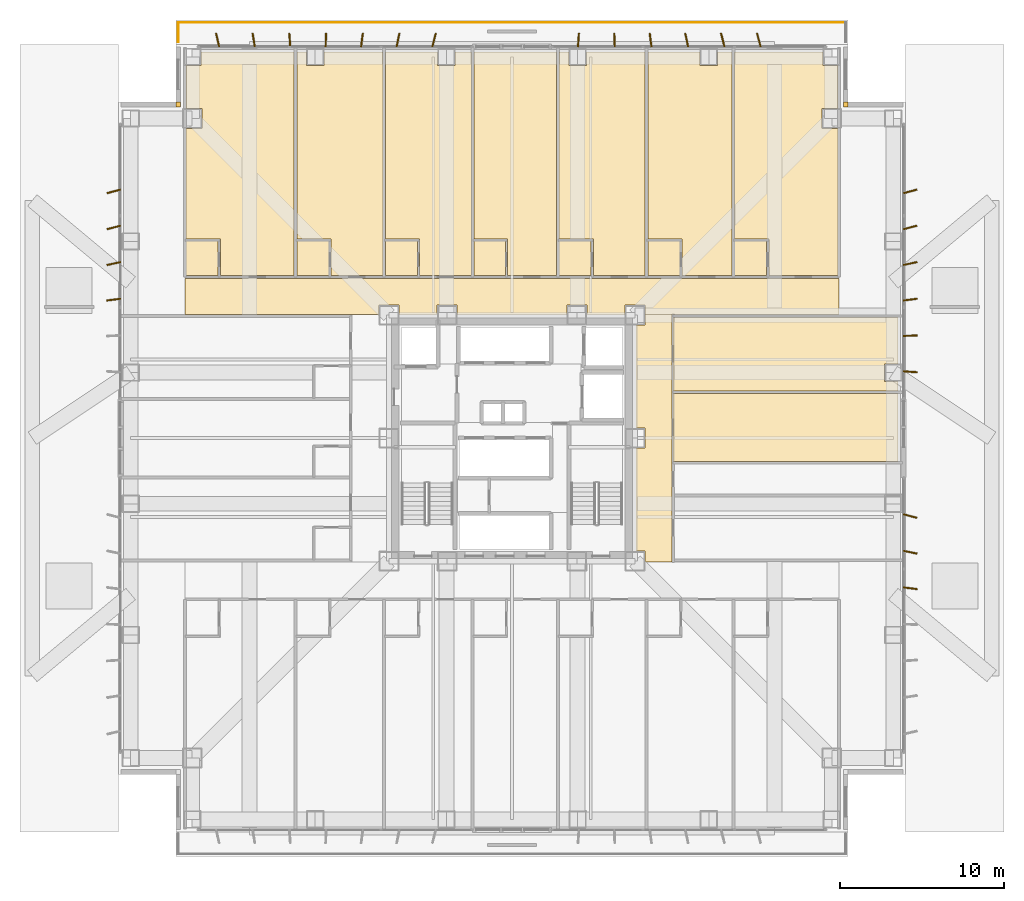
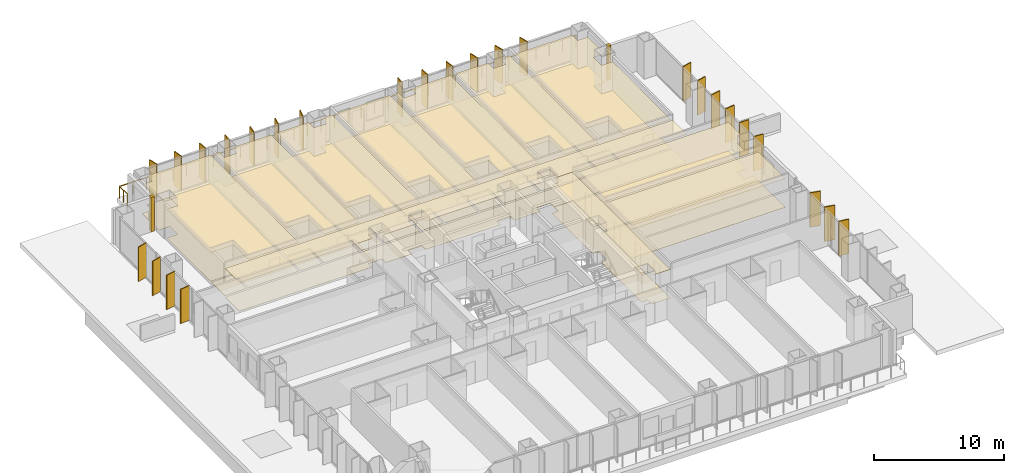
# One storey, part 23 of 24: 31 coverings, 26 shading devices, 2 railings.
"""IFC4 building model written with IfcOpenShell, lengths in metres."""

from ifc_helpers import new_model, si_unit, direction, frame, origin, origin_2d, place, context, subcontext, project, spatial, polyline, rectangle, circle, outline, extrude, material, layer, layer_set, type_object, element, save


model = new_model("IFC4")

# Units and contexts
model_context = context("Model", 3, precision=1e-05, world=origin(), true_north=direction((0.0, 1.0)))
body_context = subcontext(model_context, "Body", "Model", "MODEL_VIEW")
ifc_project = project(units=[si_unit("LENGTHUNIT", "METRE"), si_unit("AREAUNIT", "SQUARE_METRE"), si_unit("VOLUMEUNIT", "CUBIC_METRE"), si_unit("PLANEANGLEUNIT", "RADIAN"), si_unit("MASSUNIT", "GRAM", prefix="KILO")], contexts=[model_context])

# Site, building, storey
site_placement = place(None, origin())
site = spatial("IfcSite", under=ifc_project, at=site_placement, CompositionType="ELEMENT")
building_placement = place(site_placement, origin())
building = spatial("IfcBuilding", under=site, at=building_placement, Name="Trevonay Congress Spire", CompositionType="ELEMENT")
storey_placement = place(building_placement, frame((0.0, 0.0, 27.0)))
storey = spatial("IfcBuildingStorey", under=building, at=storey_placement, Name="L05", CompositionType="ELEMENT", Elevation=27.0)

# Coverings
ifc_material_1 = material(Name="Acoustic Mineral Fibre Board", Category="gypsum")
ifc_layer_1 = layer(ifc_material_1, 0.02490234375, Name="Acoustic Mineral Fibre Board")
ifc_layer_set_1 = layer_set([ifc_layer_1], Name="Acoustic Mineral Fibre Board")
covering_type_1 = type_object("IfcCoveringType", Name="COV-CEIL-ACOUSTIC", PredefinedType="CEILING", material=ifc_layer_set_1)
covering_1_placement = place(storey_placement, frame((0.0, 0.0, 2.699951171875)))
element("IfcCovering", 1, at=covering_1_placement, inside=storey, type_object=covering_type_1, Name="L05 Hotel Floor Corridor North acoustic suspended ceiling", PredefinedType="CEILING", context=body_context, shape_type="SweptSolid", body=[
    extrude(outline(polyline([(-19.949951171875, 7.550048828125), (-19.949951171875, 9.75), (19.949951171875, 9.75), (19.949951171875, 7.550048828125), (8.110107421875, 7.550048828125), (8.110107421875, 8.110107421875), (6.889892578125, 8.110107421875), (6.889892578125, 7.550048828125), (4.56005859375, 7.550048828125), (4.56005859375, 8.110107421875), (3.340087890625, 8.110107421875), (3.340087890625, 7.550048828125), (-3.340087890625, 7.550048828125), (-3.340087890625, 8.110107421875), (-4.56005859375, 8.110107421875), (-4.56005859375, 7.550048828125), (-6.889892578125, 7.550048828125), (-6.889892578125, 8.110107421875), (-8.110107421875, 8.110107421875), (-8.110107421875, 7.550048828125), (-19.949951171875, 7.550048828125)])), origin(), (0.0, 0.0, 1.0), 0.025146484375),
])
covering_2_placement = place(storey_placement, frame((0.0, 0.0, 2.699951171875)))
element("IfcCovering", 2, at=covering_2_placement, inside=storey, type_object=covering_type_1, Name="L05 Hotel Floor Corridor East acoustic suspended ceiling", PredefinedType="CEILING", context=body_context, shape_type="SweptSolid", body=[
    extrude(outline(polyline([(9.75, -7.550048828125), (8.110107421875, -7.550048828125), (8.110107421875, -6.889892578125), (7.550048828125, -6.889892578125), (7.550048828125, -0.610107421875), (8.110107421875, -0.610107421875), (8.110107421875, 0.610107421875), (7.550048828125, 0.610107421875), (7.550048828125, 6.889892578125), (8.110107421875, 6.889892578125), (8.110107421875, 7.550048828125), (9.75, 7.550048828125), (9.75, -7.550048828125)])), origin(), (0.0, 0.0, 1.0), 0.025146484375),
])
covering_3_placement = place(storey_placement, frame((0.0, 0.0, 2.699951171875)))
element("IfcCovering", 3, at=covering_3_placement, inside=storey, type_object=covering_type_1, Name="L05 Corner Hotel Suite acoustic suspended ceiling", PredefinedType="CEILING", context=body_context, shape_type="SweptSolid", body=[
    extrude(outline(polyline([(-13.280029296875, 23.550048828125), (-13.280029296875, 9.909912109375), (-17.780029296875, 9.909912109375), (-17.780029296875, 12.139892578125), (-19.8701171875, 12.139892578125), (-19.8701171875, 18.889892578125), (-18.889892578125, 18.889892578125), (-18.889892578125, 20.110107421875), (-19.8701171875, 20.110107421875), (-19.8701171875, 22.715087890625), (-18.965087890625, 22.715087890625), (-18.965087890625, 23.550048828125), (-13.280029296875, 23.550048828125)])), origin(), (0.0, 0.0, 1.0), 0.025146484375),
])
covering_4_placement = place(storey_placement, frame((0.0, 0.0, 2.699951171875)))
element("IfcCovering", 4, at=covering_4_placement, inside=storey, type_object=covering_type_1, Name="L05 Hotel Guest Room acoustic suspended ceiling", PredefinedType="CEILING", context=body_context, shape_type="SweptSolid", body=[
    extrude(outline(polyline([(-7.8798828125, 23.550048828125), (-7.8798828125, 9.909912109375), (-11.030029296875, 9.909912109375), (-11.030029296875, 12.139892578125), (-13.1201171875, 12.139892578125), (-13.1201171875, 23.550048828125), (-12.534912109375, 23.550048828125), (-12.534912109375, 22.715087890625), (-11.465087890625, 22.715087890625), (-11.465087890625, 23.550048828125), (-7.8798828125, 23.550048828125)])), origin(), (0.0, 0.0, 1.0), 0.025146484375),
])
covering_5_placement = place(storey_placement, frame((0.0, 0.0, 2.699951171875)))
element("IfcCovering", 5, at=covering_5_placement, inside=storey, type_object=covering_type_1, Name="L05 Hotel Guest Room acoustic suspended ceiling", PredefinedType="CEILING", context=body_context, shape_type="SweptSolid", body=[
    extrude(outline(polyline([(-2.47998046875, 23.550048828125), (-2.47998046875, 9.909912109375), (-5.6298828125, 9.909912109375), (-5.6298828125, 12.139892578125), (-7.719970703125, 12.139892578125), (-7.719970703125, 23.550048828125), (-4.534912109375, 23.550048828125), (-4.534912109375, 22.715087890625), (-3.465087890625, 22.715087890625), (-3.465087890625, 23.550048828125), (-2.47998046875, 23.550048828125)])), origin(), (0.0, 0.0, 1.0), 0.025146484375),
])
covering_6_placement = place(storey_placement, frame((0.0, 0.0, 2.699951171875)))
element("IfcCovering", 6, at=covering_6_placement, inside=storey, type_object=covering_type_1, Name="L05 Hotel Guest Room acoustic suspended ceiling", PredefinedType="CEILING", context=body_context, shape_type="SweptSolid", body=[
    extrude(outline(polyline([(-0.264892578125, 9.909912109375), (2.719970703125, 9.909912109375), (2.719970703125, 23.550048828125), (-2.320068359375, 23.550048828125), (-2.320068359375, 12.139892578125), (-0.264892578125, 12.139892578125), (-0.264892578125, 9.909912109375)])), origin(), (0.0, 0.0, 1.0), 0.025146484375),
])
covering_7_placement = place(storey_placement, frame((0.0, 0.0, 2.699951171875)))
element("IfcCovering", 7, at=covering_7_placement, inside=storey, type_object=covering_type_1, Name="L05 Hotel Guest Room acoustic suspended ceiling", PredefinedType="CEILING", context=body_context, shape_type="SweptSolid", body=[
    extrude(outline(polyline([(8.1201171875, 23.550048828125), (8.1201171875, 9.909912109375), (4.969970703125, 9.909912109375), (4.969970703125, 12.139892578125), (2.8798828125, 12.139892578125), (2.8798828125, 23.550048828125), (3.465087890625, 23.550048828125), (3.465087890625, 22.715087890625), (4.534912109375, 22.715087890625), (4.534912109375, 23.550048828125), (8.1201171875, 23.550048828125)])), origin(), (0.0, 0.0, 1.0), 0.025146484375),
])
covering_8_placement = place(storey_placement, frame((0.0, 0.0, 2.699951171875)))
element("IfcCovering", 8, at=covering_8_placement, inside=storey, type_object=covering_type_1, Name="L05 Hotel Guest Room acoustic suspended ceiling", PredefinedType="CEILING", context=body_context, shape_type="SweptSolid", body=[
    extrude(outline(polyline([(13.419921875, 23.550048828125), (13.419921875, 9.909912109375), (10.3701171875, 9.909912109375), (10.3701171875, 12.139892578125), (8.280029296875, 12.139892578125), (8.280029296875, 23.550048828125), (11.465087890625, 23.550048828125), (11.465087890625, 22.715087890625), (12.534912109375, 22.715087890625), (12.534912109375, 23.550048828125), (13.419921875, 23.550048828125)])), origin(), (0.0, 0.0, 1.0), 0.025146484375),
])
covering_9_placement = place(storey_placement, frame((0.0, 0.0, 2.699951171875)))
element("IfcCovering", 9, at=covering_9_placement, inside=storey, type_object=covering_type_1, Name="L05 Corner Hotel Suite acoustic suspended ceiling", PredefinedType="CEILING", context=body_context, shape_type="SweptSolid", body=[
    extrude(outline(polyline([(19.8701171875, 9.909912109375), (15.669921875, 9.909912109375), (15.669921875, 12.139892578125), (13.580078125, 12.139892578125), (13.580078125, 23.550048828125), (18.965087890625, 23.550048828125), (18.965087890625, 22.715087890625), (19.8701171875, 22.715087890625), (19.8701171875, 20.110107421875), (18.889892578125, 20.110107421875), (18.889892578125, 18.889892578125), (19.8701171875, 18.889892578125), (19.8701171875, 9.909912109375)])), origin(), (0.0, 0.0, 1.0), 0.025146484375),
])
covering_10_placement = place(storey_placement, frame((0.0, 0.0, 2.699951171875)))
element("IfcCovering", 10, at=covering_10_placement, inside=storey, type_object=covering_type_1, Name="L05 Hotel Room-Service Pantry acoustic suspended ceiling", PredefinedType="CEILING", context=body_context, shape_type="SweptSolid", body=[
    extrude(outline(polyline([(9.830078125, -1.419921875), (23.550048828125, -1.419921875), (23.550048828125, 2.719970703125), (9.830078125, 2.719970703125), (9.830078125, -1.419921875)])), origin(), (0.0, 0.0, 1.0), 0.025146484375),
])
covering_11_placement = place(storey_placement, frame((0.0, 0.0, 2.699951171875)))
element("IfcCovering", 11, at=covering_11_placement, inside=storey, type_object=covering_type_1, Name="L05 Guest Concierge Desk Office acoustic suspended ceiling", PredefinedType="CEILING", context=body_context, shape_type="SweptSolid", body=[
    extrude(outline(polyline([(23.550048828125, 2.8798828125), (9.830078125, 2.8798828125), (9.830078125, 7.3701171875), (23.550048828125, 7.3701171875), (23.550048828125, 4.534912109375), (22.715087890625, 4.534912109375), (22.715087890625, 3.465087890625), (23.550048828125, 3.465087890625), (23.550048828125, 2.8798828125)])), origin(), (0.0, 0.0, 1.0), 0.025146484375),
])
ifc_material_2 = material(Name="Polished Granite Floor Tile", Category="masonry")
ifc_layer_2 = layer(ifc_material_2, 0.02001953125, Name="Polished Granite Floor Tile")
ifc_layer_set_2 = layer_set([ifc_layer_2], Name="Polished Granite Floor Tile")
covering_type_2 = type_object("IfcCoveringType", Name="COV-FLOOR-STONE", PredefinedType="FLOORING", material=ifc_layer_set_2)
covering_12_placement = place(storey_placement, origin())
element("IfcCovering", 12, at=covering_12_placement, inside=storey, type_object=covering_type_2, Name="L05 Hotel Floor Corridor North floor finish", PredefinedType="FLOORING", context=body_context, shape_type="SweptSolid", body=[
    extrude(outline(polyline([(-19.949951171875, 7.550048828125), (-19.949951171875, 9.75), (19.949951171875, 9.75), (19.949951171875, 7.550048828125), (8.110107421875, 7.550048828125), (8.110107421875, 8.110107421875), (6.889892578125, 8.110107421875), (6.889892578125, 7.550048828125), (4.56005859375, 7.550048828125), (4.56005859375, 8.110107421875), (3.340087890625, 8.110107421875), (3.340087890625, 7.550048828125), (-3.340087890625, 7.550048828125), (-3.340087890625, 8.110107421875), (-4.56005859375, 8.110107421875), (-4.56005859375, 7.550048828125), (-6.889892578125, 7.550048828125), (-6.889892578125, 8.110107421875), (-8.110107421875, 8.110107421875), (-8.110107421875, 7.550048828125), (-19.949951171875, 7.550048828125)])), origin(), (0.0, 0.0, 1.0), 0.02001953125),
])
covering_13_placement = place(storey_placement, origin())
element("IfcCovering", 13, at=covering_13_placement, inside=storey, type_object=covering_type_2, Name="L05 Hotel Floor Corridor East floor finish", PredefinedType="FLOORING", context=body_context, shape_type="SweptSolid", body=[
    extrude(outline(polyline([(9.75, -7.550048828125), (8.110107421875, -7.550048828125), (8.110107421875, -6.889892578125), (7.550048828125, -6.889892578125), (7.550048828125, -0.610107421875), (8.110107421875, -0.610107421875), (8.110107421875, 0.610107421875), (7.550048828125, 0.610107421875), (7.550048828125, 6.889892578125), (8.110107421875, 6.889892578125), (8.110107421875, 7.550048828125), (9.75, 7.550048828125), (9.75, -7.550048828125)])), origin(), (0.0, 0.0, 1.0), 0.02001953125),
])
covering_14_placement = place(storey_placement, origin())
element("IfcCovering", 14, at=covering_14_placement, inside=storey, type_object=covering_type_2, Name="L05 En-suite Bathroom floor finish", PredefinedType="FLOORING", context=body_context, shape_type="SweptSolid", body=[
    extrude(outline(polyline([(-19.8701171875, 9.909912109375), (-17.919921875, 9.909912109375), (-17.919921875, 12.02001953125), (-19.8701171875, 12.02001953125), (-19.8701171875, 9.909912109375)])), origin(), (0.0, 0.0, 1.0), 0.02001953125),
])
covering_15_placement = place(storey_placement, origin())
element("IfcCovering", 15, at=covering_15_placement, inside=storey, type_object=covering_type_2, Name="L05 En-suite Bathroom floor finish", PredefinedType="FLOORING", context=body_context, shape_type="SweptSolid", body=[
    extrude(outline(polyline([(-13.1201171875, 9.909912109375), (-11.169921875, 9.909912109375), (-11.169921875, 12.02001953125), (-13.1201171875, 12.02001953125), (-13.1201171875, 9.909912109375)])), origin(), (0.0, 0.0, 1.0), 0.02001953125),
])
covering_16_placement = place(storey_placement, origin())
element("IfcCovering", 16, at=covering_16_placement, inside=storey, type_object=covering_type_2, Name="L05 En-suite Bathroom floor finish", PredefinedType="FLOORING", context=body_context, shape_type="SweptSolid", body=[
    extrude(outline(polyline([(-7.719970703125, 9.909912109375), (-5.77001953125, 9.909912109375), (-5.77001953125, 12.02001953125), (-7.719970703125, 12.02001953125), (-7.719970703125, 9.909912109375)])), origin(), (0.0, 0.0, 1.0), 0.02001953125),
])
covering_17_placement = place(storey_placement, origin())
element("IfcCovering", 17, at=covering_17_placement, inside=storey, type_object=covering_type_2, Name="L05 En-suite Bathroom floor finish", PredefinedType="FLOORING", context=body_context, shape_type="SweptSolid", body=[
    extrude(outline(polyline([(-2.320068359375, 9.909912109375), (-0.405029296875, 9.909912109375), (-0.405029296875, 12.02001953125), (-2.320068359375, 12.02001953125), (-2.320068359375, 9.909912109375)])), origin(), (0.0, 0.0, 1.0), 0.02001953125),
])
covering_18_placement = place(storey_placement, origin())
element("IfcCovering", 18, at=covering_18_placement, inside=storey, type_object=covering_type_2, Name="L05 En-suite Bathroom floor finish", PredefinedType="FLOORING", context=body_context, shape_type="SweptSolid", body=[
    extrude(outline(polyline([(2.8798828125, 9.909912109375), (4.830078125, 9.909912109375), (4.830078125, 12.02001953125), (2.8798828125, 12.02001953125), (2.8798828125, 9.909912109375)])), origin(), (0.0, 0.0, 1.0), 0.02001953125),
])
covering_19_placement = place(storey_placement, origin())
element("IfcCovering", 19, at=covering_19_placement, inside=storey, type_object=covering_type_2, Name="L05 En-suite Bathroom floor finish", PredefinedType="FLOORING", context=body_context, shape_type="SweptSolid", body=[
    extrude(outline(polyline([(8.280029296875, 9.909912109375), (10.22998046875, 9.909912109375), (10.22998046875, 12.02001953125), (8.280029296875, 12.02001953125), (8.280029296875, 9.909912109375)])), origin(), (0.0, 0.0, 1.0), 0.02001953125),
])
covering_20_placement = place(storey_placement, origin())
element("IfcCovering", 20, at=covering_20_placement, inside=storey, type_object=covering_type_2, Name="L05 En-suite Bathroom floor finish", PredefinedType="FLOORING", context=body_context, shape_type="SweptSolid", body=[
    extrude(outline(polyline([(13.580078125, 9.909912109375), (15.530029296875, 9.909912109375), (15.530029296875, 12.02001953125), (13.580078125, 12.02001953125), (13.580078125, 9.909912109375)])), origin(), (0.0, 0.0, 1.0), 0.02001953125),
])
covering_21_placement = place(storey_placement, origin())
element("IfcCovering", 21, at=covering_21_placement, inside=storey, type_object=covering_type_2, Name="L05 Hotel Room-Service Pantry floor finish", PredefinedType="FLOORING", context=body_context, shape_type="SweptSolid", body=[
    extrude(outline(polyline([(9.830078125, -1.419921875), (23.550048828125, -1.419921875), (23.550048828125, 2.719970703125), (9.830078125, 2.719970703125), (9.830078125, -1.419921875)])), origin(), (0.0, 0.0, 1.0), 0.02001953125),
])
ifc_material_3 = material(Name="Engineered Oak Flooring", Category="wood")
ifc_layer_3 = layer(ifc_material_3, 0.01806640625, Name="Engineered Oak Flooring")
ifc_layer_set_3 = layer_set([ifc_layer_3], Name="Engineered Oak Flooring")
covering_type_3 = type_object("IfcCoveringType", Name="COV-FLOOR-TIMBER", PredefinedType="FLOORING", material=ifc_layer_set_3)
covering_22_placement = place(storey_placement, origin())
element("IfcCovering", 22, at=covering_22_placement, inside=storey, type_object=covering_type_3, Name="L05 Corner Hotel Suite floor finish", PredefinedType="FLOORING", context=body_context, shape_type="SweptSolid", body=[
    extrude(outline(polyline([(-13.280029296875, 23.550048828125), (-13.280029296875, 9.909912109375), (-17.780029296875, 9.909912109375), (-17.780029296875, 12.139892578125), (-19.8701171875, 12.139892578125), (-19.8701171875, 18.889892578125), (-18.889892578125, 18.889892578125), (-18.889892578125, 20.110107421875), (-19.8701171875, 20.110107421875), (-19.8701171875, 22.715087890625), (-18.965087890625, 22.715087890625), (-18.965087890625, 23.550048828125), (-13.280029296875, 23.550048828125)])), origin(), (0.0, 0.0, 1.0), 0.01806640625),
])
covering_23_placement = place(storey_placement, origin())
element("IfcCovering", 23, at=covering_23_placement, inside=storey, type_object=covering_type_3, Name="L05 Hotel Guest Room floor finish", PredefinedType="FLOORING", context=body_context, shape_type="SweptSolid", body=[
    extrude(outline(polyline([(-7.8798828125, 23.550048828125), (-7.8798828125, 9.909912109375), (-11.030029296875, 9.909912109375), (-11.030029296875, 12.139892578125), (-13.1201171875, 12.139892578125), (-13.1201171875, 23.550048828125), (-12.534912109375, 23.550048828125), (-12.534912109375, 22.715087890625), (-11.465087890625, 22.715087890625), (-11.465087890625, 23.550048828125), (-7.8798828125, 23.550048828125)])), origin(), (0.0, 0.0, 1.0), 0.01806640625),
])
covering_24_placement = place(storey_placement, origin())
element("IfcCovering", 24, at=covering_24_placement, inside=storey, type_object=covering_type_3, Name="L05 Hotel Guest Room floor finish", PredefinedType="FLOORING", context=body_context, shape_type="SweptSolid", body=[
    extrude(outline(polyline([(-2.47998046875, 23.550048828125), (-2.47998046875, 9.909912109375), (-5.6298828125, 9.909912109375), (-5.6298828125, 12.139892578125), (-7.719970703125, 12.139892578125), (-7.719970703125, 23.550048828125), (-4.534912109375, 23.550048828125), (-4.534912109375, 22.715087890625), (-3.465087890625, 22.715087890625), (-3.465087890625, 23.550048828125), (-2.47998046875, 23.550048828125)])), origin(), (0.0, 0.0, 1.0), 0.01806640625),
])
covering_25_placement = place(storey_placement, origin())
element("IfcCovering", 25, at=covering_25_placement, inside=storey, type_object=covering_type_3, Name="L05 Hotel Guest Room floor finish", PredefinedType="FLOORING", context=body_context, shape_type="SweptSolid", body=[
    extrude(outline(polyline([(-0.264892578125, 9.909912109375), (2.719970703125, 9.909912109375), (2.719970703125, 23.550048828125), (-2.320068359375, 23.550048828125), (-2.320068359375, 12.139892578125), (-0.264892578125, 12.139892578125), (-0.264892578125, 9.909912109375)])), origin(), (0.0, 0.0, 1.0), 0.01806640625),
])
covering_26_placement = place(storey_placement, origin())
element("IfcCovering", 26, at=covering_26_placement, inside=storey, type_object=covering_type_3, Name="L05 Hotel Guest Room floor finish", PredefinedType="FLOORING", context=body_context, shape_type="SweptSolid", body=[
    extrude(outline(polyline([(8.1201171875, 23.550048828125), (8.1201171875, 9.909912109375), (4.969970703125, 9.909912109375), (4.969970703125, 12.139892578125), (2.8798828125, 12.139892578125), (2.8798828125, 23.550048828125), (3.465087890625, 23.550048828125), (3.465087890625, 22.715087890625), (4.534912109375, 22.715087890625), (4.534912109375, 23.550048828125), (8.1201171875, 23.550048828125)])), origin(), (0.0, 0.0, 1.0), 0.01806640625),
])
covering_27_placement = place(storey_placement, origin())
element("IfcCovering", 27, at=covering_27_placement, inside=storey, type_object=covering_type_3, Name="L05 Hotel Guest Room floor finish", PredefinedType="FLOORING", context=body_context, shape_type="SweptSolid", body=[
    extrude(outline(polyline([(13.419921875, 23.550048828125), (13.419921875, 9.909912109375), (10.3701171875, 9.909912109375), (10.3701171875, 12.139892578125), (8.280029296875, 12.139892578125), (8.280029296875, 23.550048828125), (11.465087890625, 23.550048828125), (11.465087890625, 22.715087890625), (12.534912109375, 22.715087890625), (12.534912109375, 23.550048828125), (13.419921875, 23.550048828125)])), origin(), (0.0, 0.0, 1.0), 0.01806640625),
])
covering_28_placement = place(storey_placement, origin())
element("IfcCovering", 28, at=covering_28_placement, inside=storey, type_object=covering_type_3, Name="L05 Corner Hotel Suite floor finish", PredefinedType="FLOORING", context=body_context, shape_type="SweptSolid", body=[
    extrude(outline(polyline([(19.8701171875, 9.909912109375), (15.669921875, 9.909912109375), (15.669921875, 12.139892578125), (13.580078125, 12.139892578125), (13.580078125, 23.550048828125), (18.965087890625, 23.550048828125), (18.965087890625, 22.715087890625), (19.8701171875, 22.715087890625), (19.8701171875, 20.110107421875), (18.889892578125, 20.110107421875), (18.889892578125, 18.889892578125), (19.8701171875, 18.889892578125), (19.8701171875, 9.909912109375)])), origin(), (0.0, 0.0, 1.0), 0.01806640625),
])
covering_29_placement = place(storey_placement, origin())
element("IfcCovering", 29, at=covering_29_placement, inside=storey, type_object=covering_type_3, Name="L05 Guest Concierge Desk Office floor finish", PredefinedType="FLOORING", context=body_context, shape_type="SweptSolid", body=[
    extrude(outline(polyline([(23.550048828125, 2.8798828125), (9.830078125, 2.8798828125), (9.830078125, 7.3701171875), (23.550048828125, 7.3701171875), (23.550048828125, 4.534912109375), (22.715087890625, 4.534912109375), (22.715087890625, 3.465087890625), (23.550048828125, 3.465087890625), (23.550048828125, 2.8798828125)])), origin(), (0.0, 0.0, 1.0), 0.01806640625),
])
ifc_material_4 = material(Name="Pale Anodised Aluminium EN AW-6063-T6", Category="aluminium")
ifc_layer_4 = layer(ifc_material_4, 0.0400390625, Name="Pale Anodised Aluminium EN AW-6063-T6")
ifc_layer_set_4 = layer_set([ifc_layer_4], Name="Pale Anodised Aluminium EN AW-6063-T6")
covering_type_4 = type_object("IfcCoveringType", Name="COV-SPANDREL-PALE-METAL", PredefinedType="CLADDING", material=ifc_layer_set_4)
covering_30_placement = place(storey_placement, origin())
element("IfcCovering", 30, at=covering_30_placement, inside=storey, type_object=covering_type_4, Name="L05 NE re-entrant notch corner closure trim", PredefinedType="CLADDING", context=body_context, shape_type="SweptSolid", body=[
    extrude(outline(polyline([(20.199951171875, 20.199951171875), (20.5, 20.199951171875), (20.5, 20.5), (20.199951171875, 20.5), (20.199951171875, 20.199951171875)])), origin(), (0.0, 0.0, 1.0), 3.25),
])
covering_31_placement = place(storey_placement, origin())
element("IfcCovering", 31, at=covering_31_placement, inside=storey, type_object=covering_type_4, Name="L05 NW re-entrant notch corner closure trim", PredefinedType="CLADDING", context=body_context, shape_type="SweptSolid", body=[
    extrude(outline(polyline([(-20.5, 20.199951171875), (-20.199951171875, 20.199951171875), (-20.199951171875, 20.5), (-20.5, 20.5), (-20.5, 20.199951171875)])), origin(), (0.0, 0.0, 1.0), 3.25),
])

# Railings
railing_type = type_object("IfcRailingType", Name="RAL-EXT-GUARD-115", PredefinedType="GUARDRAIL", material=ifc_material_4)
railing_1_placement = place(storey_placement, frame((20.35009765625, 25.35009765625, 0.0)))
element("IfcRailing", 32, at=railing_1_placement, inside=storey, type_object=railing_type, Name="L05 perimeter safety guard GRD-L05-TER-N-3", PredefinedType="GUARDRAIL", context=body_context, shape_type="SweptSolid", body=[
    extrude(circle(Radius=0.02392578125, at=origin_2d()), frame((0.0, 0.0, 1.1259765625), z_axis=(-1.0, 0.0, 0.0), x_axis=(0.0, -1.0, 0.0)), (0.0, 0.0, 1.0), 40.7001953125),
    extrude(circle(Radius=0.02099609375, at=origin_2d()), origin(), (0.0, 0.0, 1.0), 1.101806640625),
    extrude(circle(Radius=0.02099609375, at=origin_2d()), frame((-1.197021484375, 0.0, 0.0)), (0.0, 0.0, 1.0), 1.101806640625),
    extrude(circle(Radius=0.02099609375, at=origin_2d()), frame((-2.39404296875, 0.0, 0.0)), (0.0, 0.0, 1.0), 1.101806640625),
    extrude(circle(Radius=0.02099609375, at=origin_2d()), frame((-3.59130859375, 0.0, 0.0)), (0.0, 0.0, 1.0), 1.101806640625),
    extrude(circle(Radius=0.02099609375, at=origin_2d()), frame((-4.788330078125, 0.0, 0.0)), (0.0, 0.0, 1.0), 1.101806640625),
    extrude(circle(Radius=0.02099609375, at=origin_2d()), frame((-5.9853515625, 0.0, 0.0)), (0.0, 0.0, 1.0), 1.101806640625),
    extrude(circle(Radius=0.02099609375, at=origin_2d()), frame((-7.182373046875, 0.0, 0.0)), (0.0, 0.0, 1.0), 1.101806640625),
    extrude(circle(Radius=0.02099609375, at=origin_2d()), frame((-8.37939453125, 0.0, 0.0)), (0.0, 0.0, 1.0), 1.101806640625),
    extrude(circle(Radius=0.02099609375, at=origin_2d()), frame((-9.576416015625, 0.0, 0.0)), (0.0, 0.0, 1.0), 1.101806640625),
    extrude(circle(Radius=0.02099609375, at=origin_2d()), frame((-10.773681640625, 0.0, 0.0)), (0.0, 0.0, 1.0), 1.101806640625),
    extrude(circle(Radius=0.02099609375, at=origin_2d()), frame((-11.970703125, 0.0, 0.0)), (0.0, 0.0, 1.0), 1.101806640625),
    extrude(circle(Radius=0.02099609375, at=origin_2d()), frame((-13.167724609375, 0.0, 0.0)), (0.0, 0.0, 1.0), 1.101806640625),
    extrude(circle(Radius=0.02099609375, at=origin_2d()), frame((-14.36474609375, 0.0, 0.0)), (0.0, 0.0, 1.0), 1.101806640625),
    extrude(circle(Radius=0.02099609375, at=origin_2d()), frame((-15.561767578125, 0.0, 0.0)), (0.0, 0.0, 1.0), 1.101806640625),
    extrude(circle(Radius=0.02099609375, at=origin_2d()), frame((-16.7587890625, 0.0, 0.0)), (0.0, 0.0, 1.0), 1.101806640625),
    extrude(circle(Radius=0.02099609375, at=origin_2d()), frame((-17.9560546875, 0.0, 0.0)), (0.0, 0.0, 1.0), 1.101806640625),
    extrude(circle(Radius=0.02099609375, at=origin_2d()), frame((-19.153076171875, 0.0, 0.0)), (0.0, 0.0, 1.0), 1.101806640625),
    extrude(circle(Radius=0.02099609375, at=origin_2d()), frame((-20.35009765625, 0.0, 0.0)), (0.0, 0.0, 1.0), 1.101806640625),
    extrude(circle(Radius=0.02099609375, at=origin_2d()), frame((-21.547119140625, 0.0, 0.0)), (0.0, 0.0, 1.0), 1.101806640625),
    extrude(circle(Radius=0.02099609375, at=origin_2d()), frame((-22.744140625, 0.0, 0.0)), (0.0, 0.0, 1.0), 1.101806640625),
    extrude(circle(Radius=0.02099609375, at=origin_2d()), frame((-23.94140625, 0.0, 0.0)), (0.0, 0.0, 1.0), 1.101806640625),
    extrude(circle(Radius=0.02099609375, at=origin_2d()), frame((-25.138427734375, 0.0, 0.0)), (0.0, 0.0, 1.0), 1.101806640625),
    extrude(circle(Radius=0.02099609375, at=origin_2d()), frame((-26.33544921875, 0.0, 0.0)), (0.0, 0.0, 1.0), 1.101806640625),
    extrude(circle(Radius=0.02099609375, at=origin_2d()), frame((-27.532470703125, 0.0, 0.0)), (0.0, 0.0, 1.0), 1.101806640625),
    extrude(circle(Radius=0.02099609375, at=origin_2d()), frame((-28.7294921875, 0.0, 0.0)), (0.0, 0.0, 1.0), 1.101806640625),
    extrude(circle(Radius=0.02099609375, at=origin_2d()), frame((-29.926513671875, 0.0, 0.0)), (0.0, 0.0, 1.0), 1.101806640625),
    extrude(circle(Radius=0.02099609375, at=origin_2d()), frame((-31.123779296875, 0.0, 0.0)), (0.0, 0.0, 1.0), 1.101806640625),
    extrude(circle(Radius=0.02099609375, at=origin_2d()), frame((-32.32080078125, 0.0, 0.0)), (0.0, 0.0, 1.0), 1.101806640625),
    extrude(circle(Radius=0.02099609375, at=origin_2d()), frame((-33.517822265625, 0.0, 0.0)), (0.0, 0.0, 1.0), 1.101806640625),
    extrude(circle(Radius=0.02099609375, at=origin_2d()), frame((-34.71484375, 0.0, 0.0)), (0.0, 0.0, 1.0), 1.101806640625),
    extrude(circle(Radius=0.02099609375, at=origin_2d()), frame((-35.911865234375, 0.0, 0.0)), (0.0, 0.0, 1.0), 1.101806640625),
    extrude(circle(Radius=0.02099609375, at=origin_2d()), frame((-37.10888671875, 0.0, 0.0)), (0.0, 0.0, 1.0), 1.101806640625),
    extrude(circle(Radius=0.02099609375, at=origin_2d()), frame((-38.30615234375, 0.0, 0.0)), (0.0, 0.0, 1.0), 1.101806640625),
    extrude(circle(Radius=0.02099609375, at=origin_2d()), frame((-39.503173828125, 0.0, 0.0)), (0.0, 0.0, 1.0), 1.101806640625),
    extrude(circle(Radius=0.02099609375, at=origin_2d()), frame((-40.7001953125, 0.0, 0.0)), (0.0, 0.0, 1.0), 1.101806640625),
])
railing_2_placement = place(storey_placement, frame((-20.35009765625, 25.35009765625, 0.0)))
element("IfcRailing", 33, at=railing_2_placement, inside=storey, type_object=railing_type, Name="L05 perimeter safety guard GRD-L05-TER-N-4", PredefinedType="GUARDRAIL", context=body_context, shape_type="SweptSolid", body=[
    extrude(circle(Radius=0.02392578125, at=origin_2d()), frame((0.0, 0.0, 1.1259765625), z_axis=(0.0, -1.0, 0.0), x_axis=(1.0, 0.0, 0.0)), (0.0, 0.0, 1.0), 1.2001953125),
    extrude(circle(Radius=0.02099609375, at=origin_2d()), origin(), (0.0, 0.0, 1.0), 1.101806640625),
    extrude(circle(Radius=0.02099609375, at=origin_2d()), frame((0.0, -0.60009765625, 0.0)), (0.0, 0.0, 1.0), 1.101806640625),
    extrude(circle(Radius=0.02099609375, at=origin_2d()), frame((0.0, -1.2001953125, 0.0)), (0.0, 0.0, 1.0), 1.101806640625),
])

# Shading devices
shading_device_type = type_object("IfcShadingDeviceType", Name="SHD-FIN-Z1-PALE-METAL", PredefinedType="USERDEFINED", material=ifc_material_4)
for number, where, z_axis, x_axis, name in (
    (34, (-17.949951171875, 24.280029296875, 0.0), (0.0, 0.0, 1.0), (0.97440931131, 0.224780991261, 0.0), "L05 N vertical pale-metal solar fin 1"),
    (35, (-15.75, 24.280029296875, 0.0), (0.0, 0.0, 1.0), (0.987330860032, 0.158675054211, 0.0), "L05 N vertical pale-metal solar fin 2"),
    (36, (-13.550048828125, 24.280029296875, 0.0), (0.0, 0.0, 1.0), (0.997707959868, 0.067667029017, 0.0), "L05 N vertical pale-metal solar fin 3"),
    (37, (-11.35009765625, 24.280029296875, 0.0), (0.0, 0.0, 1.0), (0.999414947917, -0.034201781837, 0.0), "L05 N vertical pale-metal solar fin 4"),
    (38, (-9.14990234375, 24.280029296875, 0.0), (0.0, 0.0, 1.0), (0.991444861374, -0.13052619222, 0.0), "L05 N vertical pale-metal solar fin 5"),
    (39, (-6.949951171875, 24.280029296875, 0.0), (0.0, 0.0, 1.0), (0.978508985102, -0.206204185397, 0.0), "L05 N vertical pale-metal solar fin 6"),
    (40, (-4.75, 24.280029296875, 0.0), (0.0, 0.0, 1.0), (0.968191325187, -0.250211026602, 0.0), "L05 N vertical pale-metal solar fin 7"),
    (41, (4.050048828125, 24.280029296875, 0.0), (0.0, 0.0, 1.0), (0.997707959868, -0.067667029017, 0.0), "L05 N vertical pale-metal solar fin 11"),
    (42, (6.25, 24.280029296875, 0.0), (0.0, 0.0, 1.0), (0.999414947917, 0.034201781837, 0.0), "L05 N vertical pale-metal solar fin 12"),
    (43, (8.449951171875, 24.280029296875, 0.0), (0.0, 0.0, 1.0), (0.991444861374, 0.13052619222, 0.0), "L05 N vertical pale-metal solar fin 13"),
    (44, (10.64990234375, 24.280029296875, 0.0), (0.0, 0.0, 1.0), (0.978508985102, 0.206204185397, 0.0), "L05 N vertical pale-metal solar fin 14"),
    (45, (12.85009765625, 24.280029296875, 0.0), (0.0, 0.0, 1.0), (0.968191325187, 0.250211026602, 0.0), "L05 N vertical pale-metal solar fin 15"),
    (46, (15.050048828125, 24.280029296875, 0.0), (0.0, 0.0, 1.0), (0.966510581262, 0.256626764599, 0.0), "L05 N vertical pale-metal solar fin 16"),
    (47, (-24.280029296875, 8.449951171875, 0.0), (0.0, 0.0, 1.0), (-0.13052619222, 0.991444861374, 0.0), "L05 W vertical pale-metal solar fin 13"),
    (48, (-24.280029296875, 10.64990234375, 0.0), (0.0, 0.0, 1.0), (-0.206204185397, 0.978508985102, 0.0), "L05 W vertical pale-metal solar fin 14"),
    (49, (-24.280029296875, 12.85009765625, 0.0), (0.0, 0.0, 1.0), (-0.250211026602, 0.968191325187, 0.0), "L05 W vertical pale-metal solar fin 15"),
    (50, (-24.280029296875, 15.050048828125, 0.0), (0.0, 0.0, 1.0), (-0.256626764599, 0.966510581262, 0.0), "L05 W vertical pale-metal solar fin 16"),
    (51, (24.280029296875, -9.14990234375, 0.0), (0.0, 0.0, 1.0), (0.13052619222, 0.991444861374, 0.0), "L05 E vertical pale-metal solar fin 5"),
    (52, (24.280029296875, -6.949951171875, 0.0), (0.0, 0.0, 1.0), (0.206204185397, 0.978508985102, 0.0), "L05 E vertical pale-metal solar fin 6"),
    (53, (24.280029296875, -4.75, 0.0), (0.0, 0.0, 1.0), (0.250211026602, 0.968191325187, 0.0), "L05 E vertical pale-metal solar fin 7"),
    (54, (24.280029296875, 4.050048828125, 0.0), (0.0, 0.0, 1.0), (0.067667029017, 0.997707959868, 0.0), "L05 E vertical pale-metal solar fin 11"),
    (55, (24.280029296875, 6.25, 0.0), (0.0, 0.0, 1.0), (-0.034201781837, 0.999414947917, 0.0), "L05 E vertical pale-metal solar fin 12"),
    (56, (24.280029296875, 8.449951171875, 0.0), (0.0, 0.0, 1.0), (-0.13052619222, 0.991444861374, 0.0), "L05 E vertical pale-metal solar fin 13"),
    (57, (24.280029296875, 10.64990234375, 0.0), (0.0, 0.0, 1.0), (-0.206204185397, 0.978508985102, 0.0), "L05 E vertical pale-metal solar fin 14"),
    (58, (24.280029296875, 12.85009765625, 0.0), (0.0, 0.0, 1.0), (-0.250211026602, 0.968191325187, 0.0), "L05 E vertical pale-metal solar fin 15"),
    (59, (24.280029296875, 15.050048828125, 0.0), (0.0, 0.0, 1.0), (-0.256626764599, 0.966510581262, 0.0), "L05 E vertical pale-metal solar fin 16"),
):
    element("IfcShadingDevice", number, at=place(storey_placement, frame(where, z_axis=z_axis, x_axis=x_axis)), inside=storey, type_object=shading_device_type, Name=name, ObjectType="SOLAR FIN", PredefinedType="USERDEFINED", context=body_context, shape_type="SweptSolid", body=[
        extrude(rectangle(XDim=0.080078125, YDim=0.85009765625, at=origin_2d()), origin(), (0.0, 0.0, 1.0), 3.25),
    ])

save(model, "model.ifc")
